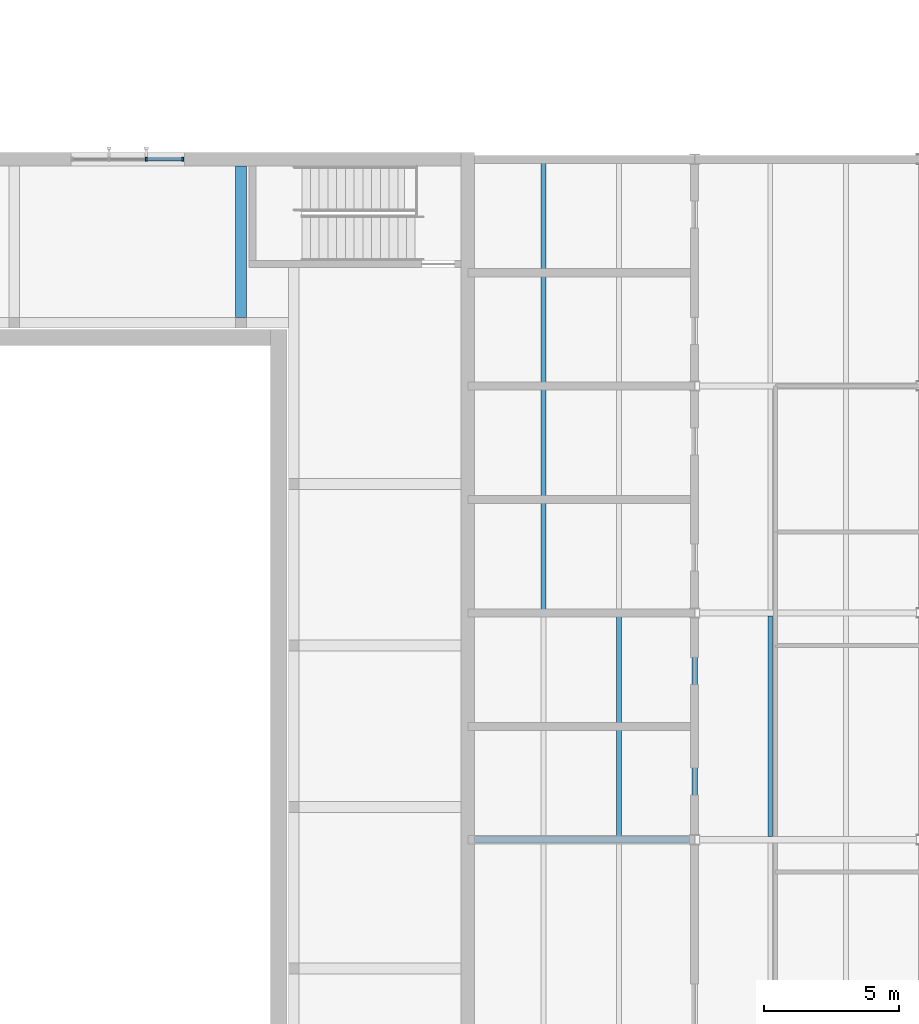
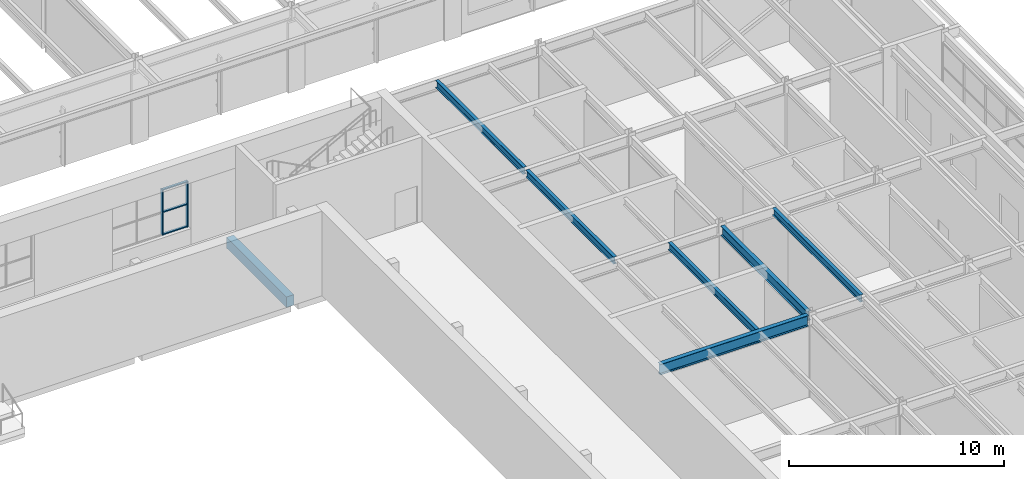
# One storey, part 47 of 116: 7 beams, 5 members, 1 element without a shape of its own.
"""IFC4 building model written with IfcOpenShell, lengths in metres."""

import ifcopenshell
import ifcopenshell.guid

model = None  # the IFC model being written
_history = None  # IfcOwnerHistory: only IFC2X3 demands one
_inside = {}  # id of a spatial element -> (the spatial element, [elements in it])
_under = {}  # id of a project, library or spatial element -> (it, [spatial elements below it])
_declared = {}  # id of a project -> (the project, [libraries it declares])
_typed = {}  # id of a type object -> (the type object, [elements of that type])
_made_of = {}  # id of a material, layer set ... -> (it, [elements and type objects made of it])


def new_model(schema):
    """Start an empty IFC model of exactly this schema.

    Asked for "IFC4X3", IfcOpenShell would pick the latest addendum, in which some entities
    have other attributes; the version numbers below select the first issue.
    IFC2X3 requires an IfcOwnerHistory on every rooted entity: one is made here for all.
    """
    global model, _history
    if schema == "IFC4X3":
        model = ifcopenshell.file(schema_version=(4, 3, 0, 0))
    else:
        model = ifcopenshell.file(schema=schema)
    _inside.clear()
    _under.clear()
    _declared.clear()
    _typed.clear()
    _made_of.clear()
    _history = None
    if model.schema == "IFC2X3":
        org = make("IfcOrganization", Name="unknown")
        user = make(
            "IfcPersonAndOrganization",
            ThePerson=make("IfcPerson", FamilyName="unknown"),
            TheOrganization=org,
        )
        app = make(
            "IfcApplication",
            ApplicationDeveloper=org,
            Version="unknown",
            ApplicationFullName="unknown",
            ApplicationIdentifier="unknown",
        )
        _history = make(
            "IfcOwnerHistory",
            OwningUser=user,
            OwningApplication=app,
            ChangeAction="ADDED",
            CreationDate=0,
        )
    return model


def make(cls, **values):
    """One entity of the class cls with the attributes given. An attribute that is None is left unset."""
    return model.create_entity(
        cls, **{name: value for name, value in values.items() if value is not None}
    )


def rooted(cls, **values):
    """An entity with a GlobalId (a new one), such as an element, a storey or a relation."""
    return make(cls, GlobalId=ifcopenshell.guid.new(), OwnerHistory=_history, **values)


def si_unit(unit_type, name, prefix=None):
    """IfcSIUnit, for example si_unit("LENGTHUNIT", "METRE", prefix="MILLI")."""
    return make("IfcSIUnit", UnitType=unit_type, Prefix=prefix, Name=name)


def assignment(units):
    """IfcUnitAssignment: the units of a project."""
    return None if units is None else make("IfcUnitAssignment", Units=units)


def point(xyz):
    """IfcCartesianPoint."""
    return None if xyz is None else make("IfcCartesianPoint", Coordinates=xyz)


def direction(xyz):
    """IfcDirection."""
    return None if xyz is None else make("IfcDirection", DirectionRatios=xyz)


def frame(location, z_axis=None, x_axis=None):
    """IfcAxis2Placement3D, a coordinate frame: its origin and axes. An axis left out is left unset."""
    return make(
        "IfcAxis2Placement3D",
        Location=point(location),
        Axis=direction(z_axis),
        RefDirection=direction(x_axis),
    )


def frame_2d(location, x_axis=None):
    """IfcAxis2Placement2D, a coordinate frame in the plane: its origin and x axis."""
    return make(
        "IfcAxis2Placement2D", Location=point(location), RefDirection=direction(x_axis)
    )


def origin():
    """The frame at (0, 0, 0) with its axes left unset."""
    return frame((0.0, 0.0, 0.0))


def origin_2d():
    """The frame at (0, 0) in the plane with its x axis left unset."""
    return frame_2d((0.0, 0.0))


def place(relative_to, where):
    """IfcLocalPlacement: puts the frame where relative to a parent placement (None: the world)."""
    return make(
        "IfcLocalPlacement", PlacementRelTo=relative_to, RelativePlacement=where
    )


def context(
    kind, dimensions, precision=None, world=None, true_north=None, identifier=None
):
    """IfcGeometricRepresentationContext, for example the 3D "Model" context."""
    return make(
        "IfcGeometricRepresentationContext",
        ContextIdentifier=identifier,
        ContextType=kind,
        CoordinateSpaceDimension=dimensions,
        Precision=precision,
        WorldCoordinateSystem=world,
        TrueNorth=true_north,
    )


def subcontext(parent, identifier, kind, view, scale=None):
    """IfcGeometricRepresentationSubContext, for example "Body" below "Model"."""
    return make(
        "IfcGeometricRepresentationSubContext",
        ContextIdentifier=identifier,
        ContextType=kind,
        ParentContext=parent,
        TargetScale=scale,
        TargetView=view,
    )


def project(units=None, contexts=None):
    """IfcProject with its units and contexts."""
    return rooted(
        "IfcProject",
        Name="project",
        RepresentationContexts=contexts,
        UnitsInContext=assignment(units),
    )


def spatial(cls, under=None, at=None, **own):
    """A site, building, storey or space (cls), placed at a placement, below another one or the project."""
    s = rooted(cls, ObjectPlacement=at, **own)
    if under is not None:
        _under.setdefault(under.id(), (under, []))[1].append(s)
    return s


def profile(cls, at=None, kind="AREA", **sizes):
    """A parametric profile (cls). Its sizes go by their IFC names, for example OverallWidth=200.0."""
    return make(cls, ProfileType=kind, Position=at, **sizes)


def rectangle(**sizes):
    """IfcRectangleProfileDef."""
    return profile("IfcRectangleProfileDef", **sizes)


def i_section(**sizes):
    """IfcIShapeProfileDef."""
    return profile("IfcIShapeProfileDef", **sizes)


def extrude(swept, where, along, depth):
    """IfcExtrudedAreaSolid: the profile swept, set in the frame where, extruded along a direction by depth."""
    return make(
        "IfcExtrudedAreaSolid",
        SweptArea=swept,
        Position=where,
        ExtrudedDirection=direction(along),
        Depth=depth,
    )


def shape(context_of_items, identifier, shape_type, items):
    """IfcShapeRepresentation: the items that make up one representation, for example the "Body"."""
    return make(
        "IfcShapeRepresentation",
        ContextOfItems=context_of_items,
        RepresentationIdentifier=identifier,
        RepresentationType=shape_type,
        Items=items,
    )


def material(Name=None, Category=None):
    """IfcMaterial."""
    return make("IfcMaterial", Name=Name, Category=Category)


def material_profile(
    of_material, cross_section, Name=None, Category=None, Priority=None
):
    """IfcMaterialProfile: a cross section and its material."""
    return make(
        "IfcMaterialProfile",
        Name=Name,
        Material=of_material,
        Profile=cross_section,
        Priority=Priority,
        Category=Category,
    )


def profile_set(profiles, Name=None, composite=None):
    """IfcMaterialProfileSet."""
    return make(
        "IfcMaterialProfileSet",
        Name=Name,
        MaterialProfiles=profiles,
        CompositeProfile=composite,
    )


def made_of(thing, what):
    """Note that an element or type object is made of a material, layer set ...; save() writes the relation."""
    if what is not None:
        _made_of.setdefault(what.id(), (what, []))[1].append(thing)
    return thing


def type_object(cls, material=None, **own):
    """A type object (cls), such as IfcWallType, which elements share."""
    return made_of(rooted(cls, **own), material)


def element(
    cls,
    number,
    at=None,
    inside=None,
    cuts=None,
    type_object=None,
    material=None,
    context=None,
    identifier="Body",
    shape_type=None,
    held_by="IfcProductDefinitionShape",
    body=None,
    shapes=None,
    **own,
):
    """One element of the class cls, such as IfcWall. Its Tag is "e" and its number.

    at: its placement. inside: the storey or other place that contains it. cuts: it is an
    opening in that element (IfcRelVoidsElement). A single representation is given by context,
    identifier, shape_type and body (its items); several are given by shapes. held_by: the class
    of the entity that holds the representations. save() writes the other relations.
    """
    e = rooted(cls, Tag="e%d" % number, ObjectPlacement=at, **own)
    if body is not None:
        shapes = [shape(context, identifier, shape_type, body)]
    if shapes is not None:
        e.Representation = make(held_by, Representations=shapes)
    if inside is not None:
        _inside.setdefault(inside.id(), (inside, []))[1].append(e)
    if cuts is not None:
        rooted(
            "IfcRelVoidsElement", RelatingBuildingElement=cuts, RelatedOpeningElement=e
        )
    if type_object is not None:
        _typed.setdefault(type_object.id(), (type_object, []))[1].append(e)
    return made_of(e, material)


def aggregate(whole, parts):
    """IfcRelAggregates: a whole, such as a stair, and the parts it consists of."""
    return rooted("IfcRelAggregates", RelatingObject=whole, RelatedObjects=parts)


def save(model, path):
    """Write the relations noted so far, then the file.

    IfcRelAggregates (storeys below a building ...), IfcRelContainedInSpatialStructure (elements
    in a storey), IfcRelDefinesByType, IfcRelAssociatesMaterial and IfcRelDeclares: one each for
    every whole, place, type object, material and project.
    """
    for whole, parts in _under.values():
        aggregate(whole, parts)
    for where, things in _inside.values():
        rooted(
            "IfcRelContainedInSpatialStructure",
            RelatedElements=things,
            RelatingStructure=where,
        )
    for kind, things in _typed.values():
        rooted("IfcRelDefinesByType", RelatedObjects=things, RelatingType=kind)
    for what, things in _made_of.values():
        rooted("IfcRelAssociatesMaterial", RelatedObjects=things, RelatingMaterial=what)
    for by, libraries in _declared.values():
        rooted("IfcRelDeclares", RelatingContext=by, RelatedDefinitions=libraries)
    model.write(path)


model = new_model("IFC4")

# Units and contexts
model_context = context("Model", 3, precision=1e-05, world=origin(), true_north=direction((0.0, 1.0)))
body_context = subcontext(model_context, "Body", "Model", "MODEL_VIEW")
ifc_project = project(units=[si_unit("LENGTHUNIT", "METRE"), si_unit("AREAUNIT", "SQUARE_METRE"), si_unit("VOLUMEUNIT", "CUBIC_METRE"), si_unit("PLANEANGLEUNIT", "RADIAN"), si_unit("MASSUNIT", "GRAM", prefix="KILO")], contexts=[model_context])

# Site, building, storey
site_placement = place(None, origin())
site = spatial("IfcSite", under=ifc_project, at=site_placement, CompositionType="ELEMENT")
building_placement = place(site_placement, origin())
building = spatial("IfcBuilding", under=site, at=building_placement, Name="Ljudholm Concert House", CompositionType="ELEMENT")
storey_placement = place(building_placement, frame((0.0, 0.0, 10.199951171875)))
storey = spatial("IfcBuildingStorey", under=building, at=storey_placement, Name="L02", CompositionType="ELEMENT", Elevation=10.199951171875)

# Curtain wall, members
ifc_material_1 = material(Name="Aluminium curtain wall with impact-rated laminated glass", Category="aluminium")
curtain_wall_type = type_object("IfcCurtainWallType", Name="CURTAIN WALL 1400", PredefinedType="NOTDEFINED", material=ifc_material_1)
curtain_wall_placement = place(storey_placement, origin())
curtain_wall = element("IfcCurtainWall", 1, at=curtain_wall_placement, inside=storey, type_object=curtain_wall_type, Name="Promenade curtain wall", PredefinedType="NOTDEFINED")
ifc_material_2 = material(Name="Aluminium extrusion", Category="aluminium")
ifc_material_profile_1 = material_profile(ifc_material_2, rectangle(XDim=0.159912109375, YDim=0.06005859375, at=origin_2d()), Name="MULLION 60x160")
ifc_profile_set_1 = profile_set([ifc_material_profile_1], Name="Aluminium extrusion")
member_type_1 = type_object("IfcMemberType", Name="MULLION 60x160", PredefinedType="MULLION", material=ifc_profile_set_1)
member_1_placement = place(storey_placement, frame((84.489990234375, 96.39990234375, 0.900146484375), z_axis=(0.0, 0.0, 1.0), x_axis=(0.0, 1.0, 0.0)))
member_1 = element("IfcMember", 2, at=member_1_placement, type_object=member_type_1, Name="Mullion", PredefinedType="MULLION", context=body_context, shape_type="SweptSolid", body=[
    extrude(rectangle(XDim=0.159912109375, YDim=0.06005859375, at=origin_2d()), origin(), (0.0, 0.0, 1.0), 2.599853515625),
])
member_2_placement = place(storey_placement, frame((85.840087890625, 96.39990234375, 0.900146484375), z_axis=(0.0, 0.0, 1.0), x_axis=(0.0, 1.0, 0.0)))
member_2 = element("IfcMember", 3, at=member_2_placement, type_object=member_type_1, Name="Mullion", PredefinedType="MULLION", context=body_context, shape_type="SweptSolid", body=[
    extrude(rectangle(XDim=0.159912109375, YDim=0.06005859375, at=origin_2d()), origin(), (0.0, 0.0, 1.0), 2.599853515625),
])

# Beams
ifc_material_3 = material(Name="Concrete 6,500 psi", Category="concrete")
ifc_material_profile_2 = material_profile(ifc_material_3, rectangle(XDim=0.39990234375, YDim=0.60009765625, at=origin_2d()), Name="RC BEAM 400x600")
ifc_profile_set_2 = profile_set([ifc_material_profile_2], Name="Concrete 6,500 psi")
beam_type_1 = type_object("IfcBeamType", Name="RC BEAM 400x600", PredefinedType="BEAM", material=ifc_profile_set_2)
beam_1_placement = place(storey_placement, frame((88.0, 90.550048828125, -0.550048828125), z_axis=(0.0, 1.0, 0.0), x_axis=(-1.0, 0.0, 0.0)))
element("IfcBeam", 4, at=beam_1_placement, inside=storey, type_object=beam_type_1, Name="Ring cross beam", PredefinedType="BEAM", context=body_context, shape_type="SweptSolid", body=[
    extrude(rectangle(XDim=0.39990234375, YDim=0.60009765625, at=origin_2d()), origin(), (0.0, 0.0, 1.0), 5.599853515625),
])
ifc_material_4 = material(Name="Steel ASTM A992", Category="steel")
ifc_material_profile_3 = material_profile(ifc_material_4, i_section(OverallWidth=0.177734375, OverallDepth=0.406494140625, WebThickness=0.0078125, FlangeThickness=0.012939453125, FilletRadius=0.01025390625, at=origin_2d()), Name="W16X40")
ifc_profile_set_3 = profile_set([ifc_material_profile_3], Name="Steel ASTM A992")
beam_type_2 = type_object("IfcBeamType", Name="STEEL BEAM W16X40", PredefinedType="BEAM", material=ifc_profile_set_3)
for number, where, z_axis, x_axis, name in (
    (5, (102.0, 71.314453125, 4.416748046875), (0.0, 1.0, 0.0), (-1.0, 0.0, 0.0), "Beam BOH-ROOF-sb-102-71.2"),
    (6, (99.199951171875, 79.714599609375, 4.416748046875), (0.0, 1.0, 0.0), (-1.0, 0.0, 0.0), "Beam BOH-ROOF-sb-99.2-79.6"),
    (7, (99.199951171875, 88.114501953125, 4.416748046875), (0.0, 1.0, 0.0), (-1.0, 0.0, 0.0), "Beam BOH-ROOF-sb-99.2-88"),
    (8, (107.60009765625, 71.314453125, 4.416748046875), (0.0, 1.0, 0.0), (-1.0, 0.0, 0.0), "Beam BOH-ROOF-sb-107.6-71.2"),
):
    element("IfcBeam", number, at=place(storey_placement, frame(where, z_axis=z_axis, x_axis=x_axis)), inside=storey, type_object=beam_type_2, Name=name, PredefinedType="BEAM", context=body_context, shape_type="SweptSolid", body=[
        extrude(i_section(OverallWidth=0.177734375, OverallDepth=0.406494140625, WebThickness=0.0078125, FlangeThickness=0.012939453125, FilletRadius=0.01025390625, at=origin_2d()), origin(), (0.0, 0.0, 1.0), 8.1708984375),
    ])
ifc_material_5 = material(Name="Steel ASTM A992", Category="steel")
ifc_material_profile_4 = material_profile(ifc_material_5, i_section(OverallWidth=0.209228515625, OverallDepth=0.533447265625, WebThickness=0.01025390625, FlangeThickness=0.015625, FilletRadius=0.012939453125, at=origin_2d()), Name="W21X62")
ifc_profile_set_4 = profile_set([ifc_material_profile_4], Name="Steel ASTM A992")
beam_type_3 = type_object("IfcBeamType", Name="STEEL BEAM W21X62", PredefinedType="BEAM", material=ifc_profile_set_4)
beam_2_placement = place(storey_placement, frame((104.800048828125, 71.377685546875, 4.353271484375), z_axis=(0.0, 1.0, 0.0), x_axis=(-1.0, 0.0, 0.0)))
element("IfcBeam", 9, at=beam_2_placement, inside=storey, type_object=beam_type_3, Name="Beam BOH-ROOF-gy-104.8-71.2", PredefinedType="BEAM", context=body_context, shape_type="SweptSolid", body=[
    extrude(i_section(OverallWidth=0.209228515625, OverallDepth=0.533447265625, WebThickness=0.01025390625, FlangeThickness=0.015625, FilletRadius=0.012939453125, at=origin_2d()), origin(), (0.0, 0.0, 1.0), 8.04443359375),
])
ifc_material_6 = material(Name="Steel ASTM A992", Category="steel")
ifc_material_profile_5 = material_profile(ifc_material_6, i_section(OverallWidth=0.22900390625, OverallDepth=0.612060546875, WebThickness=0.011962890625, FlangeThickness=0.01953125, FilletRadius=0.0126953125, at=origin_2d()), Name="W24X84")
ifc_profile_set_5 = profile_set([ifc_material_profile_5], Name="Steel ASTM A992")
beam_type_4 = type_object("IfcBeamType", Name="STEEL BEAM W24X84", PredefinedType="BEAM", material=ifc_profile_set_5)
beam_3_placement = place(storey_placement, frame((96.64990234375, 71.199951171875, 4.31396484375), z_axis=(1.0, 0.0, 0.0), x_axis=(0.0, 1.0, 0.0)))
element("IfcBeam", 10, at=beam_3_placement, inside=storey, type_object=beam_type_4, Name="Beam BOH-ROOF-gx-96.4-71.2", PredefinedType="BEAM", context=body_context, shape_type="SweptSolid", body=[
    extrude(i_section(OverallWidth=0.22900390625, OverallDepth=0.612060546875, WebThickness=0.011962890625, FlangeThickness=0.01953125, FilletRadius=0.0126953125, at=origin_2d()), origin(), (0.0, 0.0, 1.0), 7.966064453125),
])

# Member
ifc_material_7 = material(Name="Aluminium extrusion", Category="aluminium")
ifc_material_profile_6 = material_profile(ifc_material_7, rectangle(XDim=0.1201171875, YDim=0.06005859375, at=origin_2d()), Name="TRANSOM 60x120")
ifc_profile_set_6 = profile_set([ifc_material_profile_6], Name="Aluminium extrusion")
member_type_2 = type_object("IfcMemberType", Name="TRANSOM 60x120", PredefinedType="USERDEFINED", material=ifc_profile_set_6)
member_3_placement = place(storey_placement, frame((84.52001953125, 96.39990234375, 0.929931640625), z_axis=(1.0, 0.0, 0.0), x_axis=(0.0, 1.0, 0.0)))
member_3 = element("IfcMember", 11, at=member_3_placement, type_object=member_type_2, Name="Transom", ObjectType="TRANSOM", PredefinedType="USERDEFINED", context=body_context, shape_type="SweptSolid", body=[
    extrude(rectangle(XDim=0.1201171875, YDim=0.06005859375, at=origin_2d()), origin(), (0.0, 0.0, 1.0), 1.2900390625),
])

member_4_placement = place(storey_placement, frame((84.52001953125, 96.39990234375, 2.199951171875), z_axis=(1.0, 0.0, 0.0), x_axis=(0.0, 1.0, 0.0)))
member_4 = element("IfcMember", 12, at=member_4_placement, type_object=member_type_2, Name="Transom", ObjectType="TRANSOM", PredefinedType="USERDEFINED", context=body_context, shape_type="SweptSolid", body=[
    extrude(rectangle(XDim=0.1201171875, YDim=0.06005859375, at=origin_2d()), origin(), (0.0, 0.0, 1.0), 1.2900390625),
])

member_5_placement = place(storey_placement, frame((84.52001953125, 96.39990234375, 3.469970703125), z_axis=(1.0, 0.0, 0.0), x_axis=(0.0, 1.0, 0.0)))
member_5 = element("IfcMember", 13, at=member_5_placement, type_object=member_type_2, Name="Transom", ObjectType="TRANSOM", PredefinedType="USERDEFINED", context=body_context, shape_type="SweptSolid", body=[
    extrude(rectangle(XDim=0.1201171875, YDim=0.06005859375, at=origin_2d()), origin(), (0.0, 0.0, 1.0), 1.2900390625),
])

aggregate(curtain_wall, [member_1, member_2, member_3, member_4, member_5])

save(model, "model.ifc")
